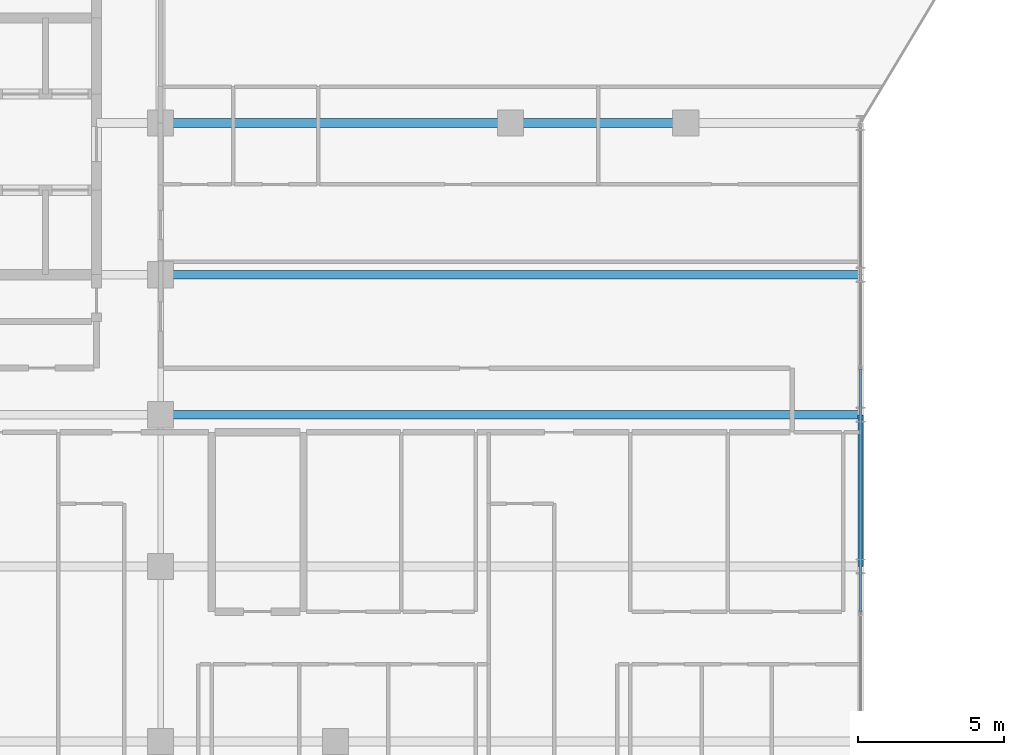
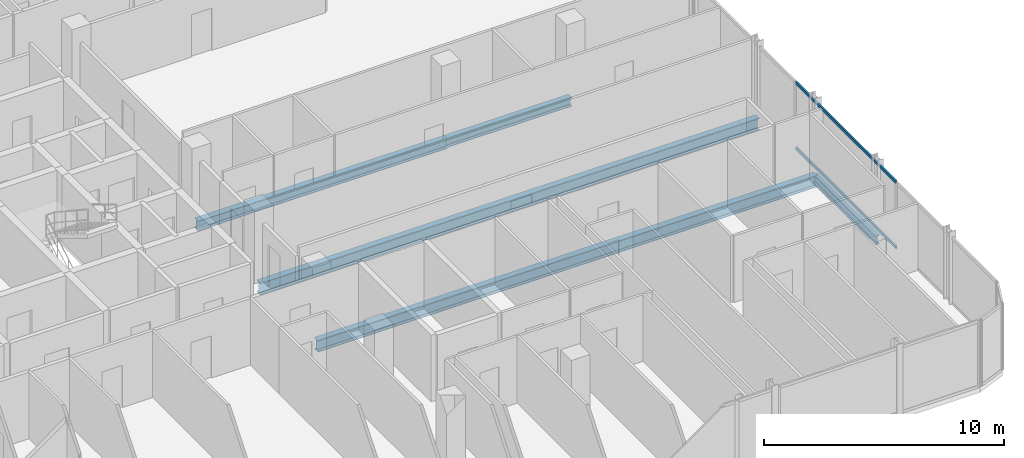
# One storey, part 12 of 32: 5 beams, 2 members, 1 element without a shape of its own.
"""IFC4 building model written with IfcOpenShell, lengths in metres."""

from ifc_helpers import new_model, si_unit, direction, frame, origin, origin_2d, place, context, subcontext, project, spatial, hollow_rectangle, i_section, extrude, material, layer, layer_set, material_profile, profile_set, type_object, element, aggregate, save


model = new_model("IFC4")

# Units and contexts
model_context = context("Model", 3, precision=1e-05, world=origin(), true_north=direction((0.0, 1.0)))
body_context = subcontext(model_context, "Body", "Model", "MODEL_VIEW")
ifc_project = project(units=[si_unit("LENGTHUNIT", "METRE"), si_unit("AREAUNIT", "SQUARE_METRE"), si_unit("VOLUMEUNIT", "CUBIC_METRE"), si_unit("PLANEANGLEUNIT", "RADIAN"), si_unit("MASSUNIT", "GRAM", prefix="KILO")], contexts=[model_context])

# Site, building, storey
site_placement = place(None, origin())
site = spatial("IfcSite", under=ifc_project, at=site_placement, CompositionType="ELEMENT")
building_placement = place(site_placement, origin())
building = spatial("IfcBuilding", under=site, at=building_placement, Name="Keshet Zoharim Tower", CompositionType="ELEMENT")
storey_placement = place(building_placement, frame((0.0, 0.0, 137.199951171875)))
storey = spatial("IfcBuildingStorey", under=building, at=storey_placement, Name="L33", CompositionType="ELEMENT", Elevation=137.199951171875)

# Beams
ifc_material_1 = material(Name="Steel S355", Category="steel")
ifc_material_profile_1 = material_profile(ifc_material_1, i_section(OverallWidth=0.300048828125, OverallDepth=0.60009765625, WebThickness=0.015380859375, FlangeThickness=0.030029296875, FilletRadius=0.027099609375, at=origin_2d()), Name="HEB600")
ifc_profile_set_1 = profile_set([ifc_material_profile_1], Name="Steel S355")
beam_type_1 = type_object("IfcBeamType", Name="BM-LNG-HB600", PredefinedType="BEAM", material=ifc_profile_set_1)
for number, where, z_axis, x_axis, name in (
    (1, (33.0, 17.89990234375, -0.614990234375), (1.0, 0.0, 0.0), (0.0, 1.0, 0.0), "L33 Primary Girder X-013"),
    (2, (33.0, 22.699951171875, -0.614990234375), (1.0, 0.0, 0.0), (0.0, 1.0, 0.0), "L33 Primary Girder X-014"),
):
    element("IfcBeam", number, at=place(storey_placement, frame(where, z_axis=z_axis, x_axis=x_axis)), inside=storey, type_object=beam_type_1, Name=name, PredefinedType="BEAM", context=body_context, shape_type="SweptSolid", body=[
        extrude(i_section(OverallWidth=0.300048828125, OverallDepth=0.60009765625, WebThickness=0.015380859375, FlangeThickness=0.030029296875, FilletRadius=0.027099609375, at=origin_2d()), origin(), (0.0, 0.0, 1.0), 24.0),
    ])
ifc_material_profile_2 = material_profile(ifc_material_1, i_section(OverallWidth=0.300048828125, OverallDepth=0.5, WebThickness=0.014404296875, FlangeThickness=0.028076171875, FilletRadius=0.027099609375, at=origin_2d()), Name="HEB500")
ifc_profile_set_2 = profile_set([ifc_material_profile_2], Name="Steel S355")
beam_type_2 = type_object("IfcBeamType", Name="BM-MED-HB500", PredefinedType="BEAM", material=ifc_profile_set_2)
beam_1_placement = place(storey_placement, frame((33.0, 27.89990234375, -0.56494140625), z_axis=(1.0, 0.0, 0.0), x_axis=(0.0, 1.0, 0.0)))
element("IfcBeam", 3, at=beam_1_placement, inside=storey, type_object=beam_type_2, Name="L33 Primary Girder X-015", PredefinedType="BEAM", context=body_context, shape_type="SweptSolid", body=[
    extrude(i_section(OverallWidth=0.300048828125, OverallDepth=0.5, WebThickness=0.014404296875, FlangeThickness=0.028076171875, FilletRadius=0.027099609375, at=origin_2d()), origin(), (0.0, 0.0, 1.0), 12.0),
])
ifc_material_profile_3 = material_profile(ifc_material_1, i_section(OverallWidth=0.18994140625, OverallDepth=0.449951171875, WebThickness=0.009521484375, FlangeThickness=0.0146484375, FilletRadius=0.02099609375, at=origin_2d()), Name="IPE450")
ifc_profile_set_3 = profile_set([ifc_material_profile_3], Name="Steel S355")
beam_type_3 = type_object("IfcBeamType", Name="BM-PRI-IP450", PredefinedType="BEAM", material=ifc_profile_set_3)
beam_2_placement = place(storey_placement, frame((57.0, 12.699951171875, -0.5400390625), z_axis=(0.0, 1.0, 0.0), x_axis=(-1.0, 0.0, 0.0)))
element("IfcBeam", 4, at=beam_2_placement, inside=storey, type_object=beam_type_3, Name="L33 Primary Girder Y-014", PredefinedType="BEAM", context=body_context, shape_type="SweptSolid", body=[
    extrude(i_section(OverallWidth=0.18994140625, OverallDepth=0.449951171875, WebThickness=0.009521484375, FlangeThickness=0.0146484375, FilletRadius=0.02099609375, at=origin_2d()), origin(), (0.0, 0.0, 1.0), 5.199951171875),
])
ifc_material_profile_4 = material_profile(ifc_material_1, i_section(OverallWidth=0.300048828125, OverallDepth=0.449951171875, WebThickness=0.013916015625, FlangeThickness=0.02587890625, FilletRadius=0.027099609375, at=origin_2d()), Name="HEB450")
ifc_profile_set_4 = profile_set([ifc_material_profile_4], Name="Steel S355")
beam_type_4 = type_object("IfcBeamType", Name="BM-WEB-HB450", PredefinedType="BEAM", material=ifc_profile_set_4)
beam_3_placement = place(storey_placement, frame((45.0, 27.89990234375, -0.5400390625), z_axis=(1.0, 0.0, 0.0), x_axis=(0.0, 1.0, 0.0)))
element("IfcBeam", 5, at=beam_3_placement, inside=storey, type_object=beam_type_4, Name="L33 Primary Girder X-016", PredefinedType="BEAM", context=body_context, shape_type="SweptSolid", body=[
    extrude(i_section(OverallWidth=0.300048828125, OverallDepth=0.449951171875, WebThickness=0.013916015625, FlangeThickness=0.02587890625, FilletRadius=0.027099609375, at=origin_2d()), origin(), (0.0, 0.0, 1.0), 6.0),
])

# Curtain wall, members
ifc_material_2 = material(Name="Aluminium 6063-T6", Category="aluminium")
ifc_layer = layer(ifc_material_2, 0.159912109375)
ifc_layer_set = layer_set([ifc_layer], Name="Aluminium 6063-T6")
curtain_wall_type = type_object("IfcCurtainWallType", Name="CW-SYS-03", PredefinedType="NOTDEFINED", material=ifc_layer_set)
curtain_wall_placement = place(storey_placement, origin())
curtain_wall = element("IfcCurtainWall", 6, at=curtain_wall_placement, inside=storey, type_object=curtain_wall_type, Name="L33 Unitised Curtain Wall 19", PredefinedType="NOTDEFINED")
ifc_material_profile_5 = material_profile(ifc_material_2, hollow_rectangle(XDim=0.080078125, YDim=0.139892578125, WallThickness=0.00390625, at=origin_2d()), Name="TRN-80x140")
ifc_profile_set_5 = profile_set([ifc_material_profile_5], Name="Aluminium 6063-T6")
member_type = type_object("IfcMemberType", Name="CWT-T14", PredefinedType="USERDEFINED", material=ifc_profile_set_5)
member_1_placement = place(storey_placement, frame((57.0, 19.465087890625, 0.03515625), z_axis=(0.0, -1.0, 0.0), x_axis=(1.0, 0.0, 0.0)))
member_1 = element("IfcMember", 7, at=member_1_placement, type_object=member_type, Name="CW-03 transom 2.1", ObjectType="TRANSOM", PredefinedType="USERDEFINED", context=body_context, shape_type="SweptSolid", body=[
    extrude(hollow_rectangle(XDim=0.080078125, YDim=0.139892578125, WallThickness=0.00390625, at=origin_2d()), origin(), (0.0, 0.0, 1.0), 8.330078125),
])
member_2_placement = place(storey_placement, frame((57.0, 19.465087890625, 3.35009765625), z_axis=(0.0, -1.0, 0.0), x_axis=(1.0, 0.0, 0.0)))
member_2 = element("IfcMember", 8, at=member_2_placement, type_object=member_type, Name="CW-03 transom 2.2", ObjectType="TRANSOM", PredefinedType="USERDEFINED", context=body_context, shape_type="SweptSolid", body=[
    extrude(hollow_rectangle(XDim=0.080078125, YDim=0.139892578125, WallThickness=0.00390625, at=origin_2d()), origin(), (0.0, 0.0, 1.0), 8.330078125),
])
aggregate(curtain_wall, [member_1, member_2])

save(model, "model.ifc")
